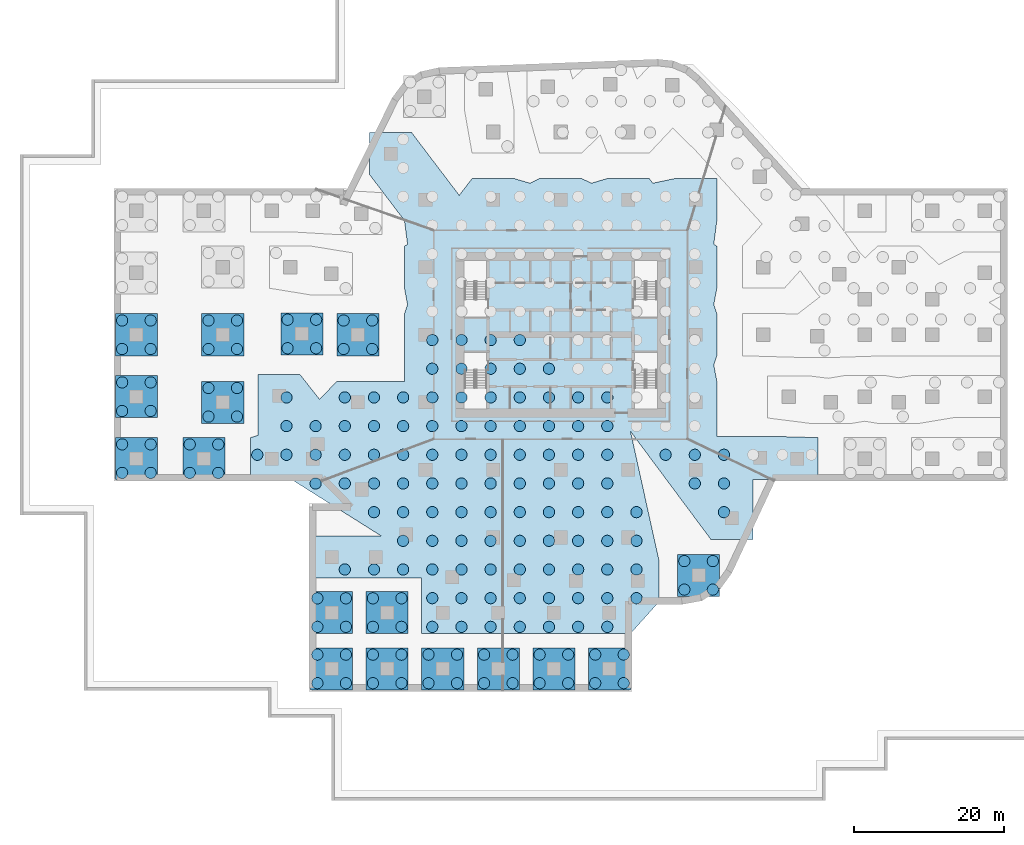
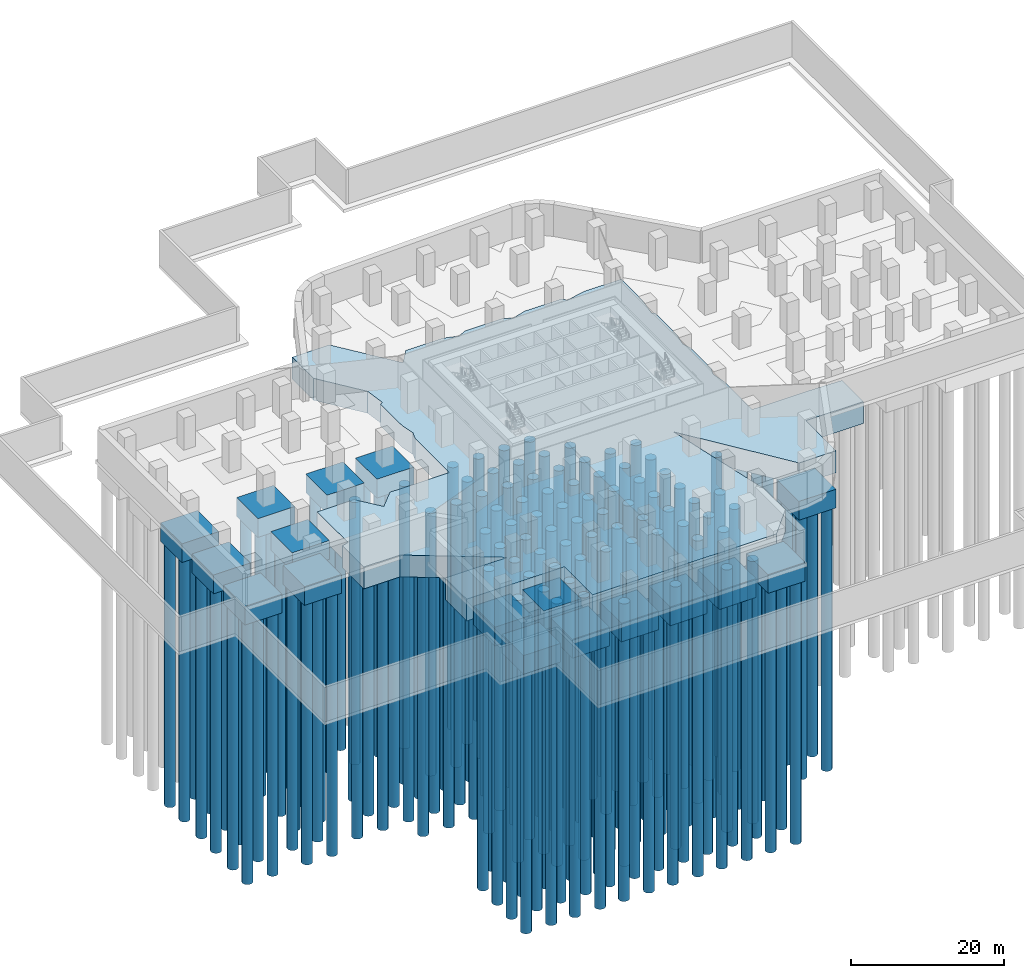
# One storey, part 1 of 12: 175 piles, 18 footings.
"""IFC4 building model written with IfcOpenShell, lengths in metres."""

import ifcopenshell
import ifcopenshell.guid

model = None  # the IFC model being written
_history = None  # IfcOwnerHistory: only IFC2X3 demands one
_inside = {}  # id of a spatial element -> (the spatial element, [elements in it])
_under = {}  # id of a project, library or spatial element -> (it, [spatial elements below it])
_declared = {}  # id of a project -> (the project, [libraries it declares])
_typed = {}  # id of a type object -> (the type object, [elements of that type])
_made_of = {}  # id of a material, layer set ... -> (it, [elements and type objects made of it])


def new_model(schema):
    """Start an empty IFC model of exactly this schema.

    Asked for "IFC4X3", IfcOpenShell would pick the latest addendum, in which some entities
    have other attributes; the version numbers below select the first issue.
    IFC2X3 requires an IfcOwnerHistory on every rooted entity: one is made here for all.
    """
    global model, _history
    if schema == "IFC4X3":
        model = ifcopenshell.file(schema_version=(4, 3, 0, 0))
    else:
        model = ifcopenshell.file(schema=schema)
    _inside.clear()
    _under.clear()
    _declared.clear()
    _typed.clear()
    _made_of.clear()
    _history = None
    if model.schema == "IFC2X3":
        org = make("IfcOrganization", Name="unknown")
        user = make(
            "IfcPersonAndOrganization",
            ThePerson=make("IfcPerson", FamilyName="unknown"),
            TheOrganization=org,
        )
        app = make(
            "IfcApplication",
            ApplicationDeveloper=org,
            Version="unknown",
            ApplicationFullName="unknown",
            ApplicationIdentifier="unknown",
        )
        _history = make(
            "IfcOwnerHistory",
            OwningUser=user,
            OwningApplication=app,
            ChangeAction="ADDED",
            CreationDate=0,
        )
    return model


def make(cls, **values):
    """One entity of the class cls with the attributes given. An attribute that is None is left unset."""
    return model.create_entity(
        cls, **{name: value for name, value in values.items() if value is not None}
    )


def rooted(cls, **values):
    """An entity with a GlobalId (a new one), such as an element, a storey or a relation."""
    return make(cls, GlobalId=ifcopenshell.guid.new(), OwnerHistory=_history, **values)


def si_unit(unit_type, name, prefix=None):
    """IfcSIUnit, for example si_unit("LENGTHUNIT", "METRE", prefix="MILLI")."""
    return make("IfcSIUnit", UnitType=unit_type, Prefix=prefix, Name=name)


def assignment(units):
    """IfcUnitAssignment: the units of a project."""
    return None if units is None else make("IfcUnitAssignment", Units=units)


def point(xyz):
    """IfcCartesianPoint."""
    return None if xyz is None else make("IfcCartesianPoint", Coordinates=xyz)


def direction(xyz):
    """IfcDirection."""
    return None if xyz is None else make("IfcDirection", DirectionRatios=xyz)


def frame(location, z_axis=None, x_axis=None):
    """IfcAxis2Placement3D, a coordinate frame: its origin and axes. An axis left out is left unset."""
    return make(
        "IfcAxis2Placement3D",
        Location=point(location),
        Axis=direction(z_axis),
        RefDirection=direction(x_axis),
    )


def frame_2d(location, x_axis=None):
    """IfcAxis2Placement2D, a coordinate frame in the plane: its origin and x axis."""
    return make(
        "IfcAxis2Placement2D", Location=point(location), RefDirection=direction(x_axis)
    )


def origin():
    """The frame at (0, 0, 0) with its axes left unset."""
    return frame((0.0, 0.0, 0.0))


def origin_2d():
    """The frame at (0, 0) in the plane with its x axis left unset."""
    return frame_2d((0.0, 0.0))


def place(relative_to, where):
    """IfcLocalPlacement: puts the frame where relative to a parent placement (None: the world)."""
    return make(
        "IfcLocalPlacement", PlacementRelTo=relative_to, RelativePlacement=where
    )


def context(
    kind, dimensions, precision=None, world=None, true_north=None, identifier=None
):
    """IfcGeometricRepresentationContext, for example the 3D "Model" context."""
    return make(
        "IfcGeometricRepresentationContext",
        ContextIdentifier=identifier,
        ContextType=kind,
        CoordinateSpaceDimension=dimensions,
        Precision=precision,
        WorldCoordinateSystem=world,
        TrueNorth=true_north,
    )


def subcontext(parent, identifier, kind, view, scale=None):
    """IfcGeometricRepresentationSubContext, for example "Body" below "Model"."""
    return make(
        "IfcGeometricRepresentationSubContext",
        ContextIdentifier=identifier,
        ContextType=kind,
        ParentContext=parent,
        TargetScale=scale,
        TargetView=view,
    )


def project(units=None, contexts=None):
    """IfcProject with its units and contexts."""
    return rooted(
        "IfcProject",
        Name="project",
        RepresentationContexts=contexts,
        UnitsInContext=assignment(units),
    )


def spatial(cls, under=None, at=None, **own):
    """A site, building, storey or space (cls), placed at a placement, below another one or the project."""
    s = rooted(cls, ObjectPlacement=at, **own)
    if under is not None:
        _under.setdefault(under.id(), (under, []))[1].append(s)
    return s


def polyline(points):
    """IfcPolyline through the points."""
    return make("IfcPolyline", Points=[point(p) for p in points])


def profile(cls, at=None, kind="AREA", **sizes):
    """A parametric profile (cls). Its sizes go by their IFC names, for example OverallWidth=200.0."""
    return make(cls, ProfileType=kind, Position=at, **sizes)


def circle(**sizes):
    """IfcCircleProfileDef."""
    return profile("IfcCircleProfileDef", **sizes)


def outline(outer, holes=None, kind="AREA"):
    """IfcArbitraryClosedProfileDef: a profile drawn as a closed curve; with holes, ...WithVoids."""
    if holes is None:
        return make("IfcArbitraryClosedProfileDef", ProfileType=kind, OuterCurve=outer)
    return make(
        "IfcArbitraryProfileDefWithVoids",
        ProfileType=kind,
        OuterCurve=outer,
        InnerCurves=holes,
    )


def extrude(swept, where, along, depth):
    """IfcExtrudedAreaSolid: the profile swept, set in the frame where, extruded along a direction by depth."""
    return make(
        "IfcExtrudedAreaSolid",
        SweptArea=swept,
        Position=where,
        ExtrudedDirection=direction(along),
        Depth=depth,
    )


def shape(context_of_items, identifier, shape_type, items):
    """IfcShapeRepresentation: the items that make up one representation, for example the "Body"."""
    return make(
        "IfcShapeRepresentation",
        ContextOfItems=context_of_items,
        RepresentationIdentifier=identifier,
        RepresentationType=shape_type,
        Items=items,
    )


def material(Name=None, Category=None):
    """IfcMaterial."""
    return make("IfcMaterial", Name=Name, Category=Category)


def layer(
    of_material, thickness, ventilated=None, Name=None, Category=None, Priority=None
):
    """IfcMaterialLayer: one layer of a wall or slab, of a material (None: an air gap)."""
    return make(
        "IfcMaterialLayer",
        Material=of_material,
        LayerThickness=thickness,
        IsVentilated=ventilated,
        Name=Name,
        Category=Category,
        Priority=Priority,
    )


def layer_set(layers, Name=None):
    """IfcMaterialLayerSet."""
    return make("IfcMaterialLayerSet", MaterialLayers=layers, LayerSetName=Name)


def material_profile(
    of_material, cross_section, Name=None, Category=None, Priority=None
):
    """IfcMaterialProfile: a cross section and its material."""
    return make(
        "IfcMaterialProfile",
        Name=Name,
        Material=of_material,
        Profile=cross_section,
        Priority=Priority,
        Category=Category,
    )


def profile_set(profiles, Name=None, composite=None):
    """IfcMaterialProfileSet."""
    return make(
        "IfcMaterialProfileSet",
        Name=Name,
        MaterialProfiles=profiles,
        CompositeProfile=composite,
    )


def made_of(thing, what):
    """Note that an element or type object is made of a material, layer set ...; save() writes the relation."""
    if what is not None:
        _made_of.setdefault(what.id(), (what, []))[1].append(thing)
    return thing


def type_object(cls, material=None, **own):
    """A type object (cls), such as IfcWallType, which elements share."""
    return made_of(rooted(cls, **own), material)


def element(
    cls,
    number,
    at=None,
    inside=None,
    cuts=None,
    type_object=None,
    material=None,
    context=None,
    identifier="Body",
    shape_type=None,
    held_by="IfcProductDefinitionShape",
    body=None,
    shapes=None,
    **own,
):
    """One element of the class cls, such as IfcWall. Its Tag is "e" and its number.

    at: its placement. inside: the storey or other place that contains it. cuts: it is an
    opening in that element (IfcRelVoidsElement). A single representation is given by context,
    identifier, shape_type and body (its items); several are given by shapes. held_by: the class
    of the entity that holds the representations. save() writes the other relations.
    """
    e = rooted(cls, Tag="e%d" % number, ObjectPlacement=at, **own)
    if body is not None:
        shapes = [shape(context, identifier, shape_type, body)]
    if shapes is not None:
        e.Representation = make(held_by, Representations=shapes)
    if inside is not None:
        _inside.setdefault(inside.id(), (inside, []))[1].append(e)
    if cuts is not None:
        rooted(
            "IfcRelVoidsElement", RelatingBuildingElement=cuts, RelatedOpeningElement=e
        )
    if type_object is not None:
        _typed.setdefault(type_object.id(), (type_object, []))[1].append(e)
    return made_of(e, material)


def aggregate(whole, parts):
    """IfcRelAggregates: a whole, such as a stair, and the parts it consists of."""
    return rooted("IfcRelAggregates", RelatingObject=whole, RelatedObjects=parts)


def save(model, path):
    """Write the relations noted so far, then the file.

    IfcRelAggregates (storeys below a building ...), IfcRelContainedInSpatialStructure (elements
    in a storey), IfcRelDefinesByType, IfcRelAssociatesMaterial and IfcRelDeclares: one each for
    every whole, place, type object, material and project.
    """
    for whole, parts in _under.values():
        aggregate(whole, parts)
    for where, things in _inside.values():
        rooted(
            "IfcRelContainedInSpatialStructure",
            RelatedElements=things,
            RelatingStructure=where,
        )
    for kind, things in _typed.values():
        rooted("IfcRelDefinesByType", RelatedObjects=things, RelatingType=kind)
    for what, things in _made_of.values():
        rooted("IfcRelAssociatesMaterial", RelatedObjects=things, RelatingMaterial=what)
    for by, libraries in _declared.values():
        rooted("IfcRelDeclares", RelatingContext=by, RelatedDefinitions=libraries)
    model.write(path)


model = new_model("IFC4")

# Units and contexts
model_context = context("Model", 3, precision=1e-05, world=origin(), true_north=direction((0.0, 1.0)))
body_context = subcontext(model_context, "Body", "Model", "MODEL_VIEW")
ifc_project = project(units=[si_unit("LENGTHUNIT", "METRE"), si_unit("AREAUNIT", "SQUARE_METRE"), si_unit("VOLUMEUNIT", "CUBIC_METRE"), si_unit("PLANEANGLEUNIT", "RADIAN"), si_unit("MASSUNIT", "GRAM", prefix="KILO")], contexts=[model_context])

# Site, building, storey
site_placement = place(None, origin())
site = spatial("IfcSite", under=ifc_project, at=site_placement, CompositionType="ELEMENT")
building_placement = place(site_placement, origin())
building = spatial("IfcBuilding", under=site, at=building_placement, Name="Dongbaek Canopy Tower", CompositionType="ELEMENT")
storey_placement = place(building_placement, frame((0.0, 0.0, -17.0)))
storey = spatial("IfcBuildingStorey", under=building, at=storey_placement, Name="B3", CompositionType="ELEMENT", Elevation=-17.0)

# Piles
ifc_material_1 = material(Name="Concrete C40", Category="concrete")
ifc_material_profile = material_profile(ifc_material_1, circle(Radius=0.75, at=origin_2d()), Name="BORED PILE D1500 Concrete C40")
ifc_profile_set = profile_set([ifc_material_profile], Name="Concrete C40")
pile_type = type_object("IfcPileType", Name="BORED PILE D1500 Concrete C40", PredefinedType="BORED", material=ifc_profile_set)
for number, where, z_axis, x_axis, name in (
    (1, (-58.39990234375, -18.39990234375, -2.85009765625), (0.0, 0.0, -1.0), (1.0, 0.0, 0.0), "PILE:0001"),
    (2, (-58.39990234375, -14.60009765625, -2.85009765625), (0.0, 0.0, -1.0), (1.0, 0.0, 0.0), "PILE:0002"),
    (3, (-54.60009765625, -18.39990234375, -2.85009765625), (0.0, 0.0, -1.0), (1.0, 0.0, 0.0), "PILE:0003"),
    (4, (-54.60009765625, -14.60009765625, -2.85009765625), (0.0, 0.0, -1.0), (1.0, 0.0, 0.0), "PILE:0004"),
    (5, (-58.39990234375, -10.14990234375, -2.85009765625), (0.0, 0.0, -1.0), (1.0, 0.0, 0.0), "PILE:0005"),
    (6, (-58.39990234375, -6.35009765625, -2.85009765625), (0.0, 0.0, -1.0), (1.0, 0.0, 0.0), "PILE:0006"),
    (7, (-54.60009765625, -10.14990234375, -2.85009765625), (0.0, 0.0, -1.0), (1.0, 0.0, 0.0), "PILE:0007"),
    (8, (-54.60009765625, -6.35009765625, -2.85009765625), (0.0, 0.0, -1.0), (1.0, 0.0, 0.0), "PILE:0008"),
    (9, (-58.39990234375, -1.89990234375, -2.85009765625), (0.0, 0.0, -1.0), (1.0, 0.0, 0.0), "PILE:0009"),
    (10, (-58.39990234375, 1.89990234375, -2.85009765625), (0.0, 0.0, -1.0), (1.0, 0.0, 0.0), "PILE:0010"),
    (11, (-54.60009765625, -1.89990234375, -2.85009765625), (0.0, 0.0, -1.0), (1.0, 0.0, 0.0), "PILE:0011"),
    (12, (-54.60009765625, 1.89990234375, -2.85009765625), (0.0, 0.0, -1.0), (1.0, 0.0, 0.0), "PILE:0012"),
    (13, (-49.39990234375, -18.39990234375, -2.85009765625), (0.0, 0.0, -1.0), (1.0, 0.0, 0.0), "PILE:0021"),
    (14, (-49.39990234375, -14.60009765625, -2.85009765625), (0.0, 0.0, -1.0), (1.0, 0.0, 0.0), "PILE:0022"),
    (15, (-45.60009765625, -18.39990234375, -2.85009765625), (0.0, 0.0, -1.0), (1.0, 0.0, 0.0), "PILE:0023"),
    (16, (-45.60009765625, -14.60009765625, -2.85009765625), (0.0, 0.0, -1.0), (1.0, 0.0, 0.0), "PILE:0024"),
    (17, (-46.89990234375, -10.89990234375, -2.85009765625), (0.0, 0.0, -1.0), (1.0, 0.0, 0.0), "PILE:0029"),
    (18, (-46.89990234375, -7.10009765625, -2.85009765625), (0.0, 0.0, -1.0), (1.0, 0.0, 0.0), "PILE:0030"),
    (19, (-43.10009765625, -10.89990234375, -2.85009765625), (0.0, 0.0, -1.0), (1.0, 0.0, 0.0), "PILE:0031"),
    (20, (-43.10009765625, -7.10009765625, -2.85009765625), (0.0, 0.0, -1.0), (1.0, 0.0, 0.0), "PILE:0032"),
    (21, (-46.89990234375, -1.89990234375, -2.85009765625), (0.0, 0.0, -1.0), (1.0, 0.0, 0.0), "PILE:0033"),
    (22, (-46.89990234375, 1.89990234375, -2.85009765625), (0.0, 0.0, -1.0), (1.0, 0.0, 0.0), "PILE:0034"),
    (23, (-43.10009765625, -1.89990234375, -2.85009765625), (0.0, 0.0, -1.0), (1.0, 0.0, 0.0), "PILE:0035"),
    (24, (-43.10009765625, 1.89990234375, -2.85009765625), (0.0, 0.0, -1.0), (1.0, 0.0, 0.0), "PILE:0036"),
    (25, (-40.39990234375, -15.9853515625, -3.35009765625), (0.0, 0.0, -1.0), (1.0, 0.0, 0.0), "PILE:0041"),
    (26, (-36.515869140625, -15.9853515625, -3.35009765625), (0.0, 0.0, -1.0), (1.0, 0.0, 0.0), "PILE:0042"),
    (27, (-36.515869140625, -12.166259765625, -3.35009765625), (0.0, 0.0, -1.0), (1.0, 0.0, 0.0), "PILE:0043"),
    (28, (-36.515869140625, -8.34716796875, -3.35009765625), (0.0, 0.0, -1.0), (1.0, 0.0, 0.0), "PILE:0044"),
    (29, (-32.631591796875, -19.804443359375, -3.35009765625), (0.0, 0.0, -1.0), (1.0, 0.0, 0.0), "PILE:0045"),
    (30, (-32.631591796875, -15.9853515625, -3.35009765625), (0.0, 0.0, -1.0), (1.0, 0.0, 0.0), "PILE:0046"),
    (31, (-32.631591796875, -12.166259765625, -3.35009765625), (0.0, 0.0, -1.0), (1.0, 0.0, 0.0), "PILE:0047"),
    (32, (-28.747314453125, -31.26171875, -3.35009765625), (0.0, 0.0, -1.0), (1.0, 0.0, 0.0), "PILE:0048"),
    (33, (-28.747314453125, -19.804443359375, -3.35009765625), (0.0, 0.0, -1.0), (1.0, 0.0, 0.0), "PILE:0049"),
    (34, (-28.747314453125, -15.9853515625, -3.35009765625), (0.0, 0.0, -1.0), (1.0, 0.0, 0.0), "PILE:0050"),
    (35, (-28.747314453125, -12.166259765625, -3.35009765625), (0.0, 0.0, -1.0), (1.0, 0.0, 0.0), "PILE:0051"),
    (36, (-28.747314453125, -8.34716796875, -3.35009765625), (0.0, 0.0, -1.0), (1.0, 0.0, 0.0), "PILE:0052"),
    (37, (-24.86328125, -31.26171875, -3.35009765625), (0.0, 0.0, -1.0), (1.0, 0.0, 0.0), "PILE:0053"),
    (38, (-24.86328125, -23.62353515625, -3.35009765625), (0.0, 0.0, -1.0), (1.0, 0.0, 0.0), "PILE:0054"),
    (39, (-24.86328125, -19.804443359375, -3.35009765625), (0.0, 0.0, -1.0), (1.0, 0.0, 0.0), "PILE:0055"),
    (40, (-24.86328125, -15.9853515625, -3.35009765625), (0.0, 0.0, -1.0), (1.0, 0.0, 0.0), "PILE:0056"),
    (41, (-24.86328125, -12.166259765625, -3.35009765625), (0.0, 0.0, -1.0), (1.0, 0.0, 0.0), "PILE:0057"),
    (42, (-24.86328125, -8.34716796875, -3.35009765625), (0.0, 0.0, -1.0), (1.0, 0.0, 0.0), "PILE:0058"),
    (43, (-20.97900390625, -31.26171875, -3.35009765625), (0.0, 0.0, -1.0), (1.0, 0.0, 0.0), "PILE:0059"),
    (44, (-20.97900390625, -27.442626953125, -3.35009765625), (0.0, 0.0, -1.0), (1.0, 0.0, 0.0), "PILE:0060"),
    (45, (-20.97900390625, -23.62353515625, -3.35009765625), (0.0, 0.0, -1.0), (1.0, 0.0, 0.0), "PILE:0061"),
    (46, (-20.97900390625, -19.804443359375, -3.35009765625), (0.0, 0.0, -1.0), (1.0, 0.0, 0.0), "PILE:0062"),
    (47, (-20.97900390625, -15.9853515625, -3.35009765625), (0.0, 0.0, -1.0), (1.0, 0.0, 0.0), "PILE:0063"),
    (48, (-20.97900390625, -12.166259765625, -3.35009765625), (0.0, 0.0, -1.0), (1.0, 0.0, 0.0), "PILE:0064"),
    (49, (-20.97900390625, -8.34716796875, -3.35009765625), (0.0, 0.0, -1.0), (1.0, 0.0, 0.0), "PILE:0065"),
    (50, (-17.0947265625, -38.89990234375, -3.35009765625), (0.0, 0.0, -1.0), (1.0, 0.0, 0.0), "PILE:0069"),
    (51, (-17.0947265625, -35.080810546875, -3.35009765625), (0.0, 0.0, -1.0), (1.0, 0.0, 0.0), "PILE:0070"),
    (52, (-17.0947265625, -31.26171875, -3.35009765625), (0.0, 0.0, -1.0), (1.0, 0.0, 0.0), "PILE:0071"),
    (53, (-17.0947265625, -27.442626953125, -3.35009765625), (0.0, 0.0, -1.0), (1.0, 0.0, 0.0), "PILE:0072"),
    (54, (-17.0947265625, -23.62353515625, -3.35009765625), (0.0, 0.0, -1.0), (1.0, 0.0, 0.0), "PILE:0073"),
    (55, (-17.0947265625, -19.804443359375, -3.35009765625), (0.0, 0.0, -1.0), (1.0, 0.0, 0.0), "PILE:0074"),
    (56, (-17.0947265625, -15.9853515625, -3.35009765625), (0.0, 0.0, -1.0), (1.0, 0.0, 0.0), "PILE:0075"),
    (57, (-17.0947265625, -12.166259765625, -3.35009765625), (0.0, 0.0, -1.0), (1.0, 0.0, 0.0), "PILE:0076"),
    (58, (-17.0947265625, -8.34716796875, -3.35009765625), (0.0, 0.0, -1.0), (1.0, 0.0, 0.0), "PILE:0077"),
    (59, (-17.0947265625, -4.52783203125, -3.35009765625), (0.0, 0.0, -1.0), (1.0, 0.0, 0.0), "PILE:0078"),
    (60, (-17.0947265625, -0.708740234375, -3.35009765625), (0.0, 0.0, -1.0), (1.0, 0.0, 0.0), "PILE:0079"),
    (61, (-13.21044921875, -38.89990234375, -3.35009765625), (0.0, 0.0, -1.0), (1.0, 0.0, 0.0), "PILE:0085"),
    (62, (-13.21044921875, -35.080810546875, -3.35009765625), (0.0, 0.0, -1.0), (1.0, 0.0, 0.0), "PILE:0086"),
    (63, (-13.21044921875, -31.26171875, -3.35009765625), (0.0, 0.0, -1.0), (1.0, 0.0, 0.0), "PILE:0087"),
    (64, (-13.21044921875, -27.442626953125, -3.35009765625), (0.0, 0.0, -1.0), (1.0, 0.0, 0.0), "PILE:0088"),
    (65, (-13.21044921875, -23.62353515625, -3.35009765625), (0.0, 0.0, -1.0), (1.0, 0.0, 0.0), "PILE:0089"),
    (66, (-13.21044921875, -19.804443359375, -3.35009765625), (0.0, 0.0, -1.0), (1.0, 0.0, 0.0), "PILE:0090"),
    (67, (-13.21044921875, -15.9853515625, -3.35009765625), (0.0, 0.0, -1.0), (1.0, 0.0, 0.0), "PILE:0091"),
    (68, (-13.21044921875, -12.166259765625, -3.35009765625), (0.0, 0.0, -1.0), (1.0, 0.0, 0.0), "PILE:0092"),
    (69, (-13.21044921875, -8.34716796875, -3.35009765625), (0.0, 0.0, -1.0), (1.0, 0.0, 0.0), "PILE:0093"),
    (70, (-13.21044921875, -4.52783203125, -3.35009765625), (0.0, 0.0, -1.0), (1.0, 0.0, 0.0), "PILE:0094"),
    (71, (-13.21044921875, -0.708740234375, -3.35009765625), (0.0, 0.0, -1.0), (1.0, 0.0, 0.0), "PILE:0095"),
    (72, (-9.326416015625, -38.89990234375, -3.35009765625), (0.0, 0.0, -1.0), (1.0, 0.0, 0.0), "PILE:0100"),
    (73, (-9.326416015625, -35.080810546875, -3.35009765625), (0.0, 0.0, -1.0), (1.0, 0.0, 0.0), "PILE:0101"),
    (74, (-9.326416015625, -31.26171875, -3.35009765625), (0.0, 0.0, -1.0), (1.0, 0.0, 0.0), "PILE:0102"),
    (75, (-9.326416015625, -27.442626953125, -3.35009765625), (0.0, 0.0, -1.0), (1.0, 0.0, 0.0), "PILE:0103"),
    (76, (-9.326416015625, -23.62353515625, -3.35009765625), (0.0, 0.0, -1.0), (1.0, 0.0, 0.0), "PILE:0104"),
    (77, (-9.326416015625, -19.804443359375, -3.35009765625), (0.0, 0.0, -1.0), (1.0, 0.0, 0.0), "PILE:0105"),
    (78, (-9.326416015625, -15.9853515625, -3.35009765625), (0.0, 0.0, -1.0), (1.0, 0.0, 0.0), "PILE:0106"),
    (79, (-9.326416015625, -12.166259765625, -3.35009765625), (0.0, 0.0, -1.0), (1.0, 0.0, 0.0), "PILE:0107"),
    (80, (-9.326416015625, -8.34716796875, -3.35009765625), (0.0, 0.0, -1.0), (1.0, 0.0, 0.0), "PILE:0108"),
    (81, (-9.326416015625, -4.52783203125, -3.35009765625), (0.0, 0.0, -1.0), (1.0, 0.0, 0.0), "PILE:0109"),
    (82, (-9.326416015625, -0.708740234375, -3.35009765625), (0.0, 0.0, -1.0), (1.0, 0.0, 0.0), "PILE:0110"),
    (83, (-5.442138671875, -38.89990234375, -3.35009765625), (0.0, 0.0, -1.0), (1.0, 0.0, 0.0), "PILE:0116"),
    (84, (-5.442138671875, -35.080810546875, -3.35009765625), (0.0, 0.0, -1.0), (1.0, 0.0, 0.0), "PILE:0117"),
    (85, (-5.442138671875, -31.26171875, -3.35009765625), (0.0, 0.0, -1.0), (1.0, 0.0, 0.0), "PILE:0118"),
    (86, (-5.442138671875, -27.442626953125, -3.35009765625), (0.0, 0.0, -1.0), (1.0, 0.0, 0.0), "PILE:0119"),
    (87, (-5.442138671875, -23.62353515625, -3.35009765625), (0.0, 0.0, -1.0), (1.0, 0.0, 0.0), "PILE:0120"),
    (88, (-5.442138671875, -19.804443359375, -3.35009765625), (0.0, 0.0, -1.0), (1.0, 0.0, 0.0), "PILE:0121"),
    (89, (-5.442138671875, -15.9853515625, -3.35009765625), (0.0, 0.0, -1.0), (1.0, 0.0, 0.0), "PILE:0122"),
    (90, (-5.442138671875, -12.166259765625, -3.35009765625), (0.0, 0.0, -1.0), (1.0, 0.0, 0.0), "PILE:0123"),
    (91, (-5.442138671875, -8.34716796875, -3.35009765625), (0.0, 0.0, -1.0), (1.0, 0.0, 0.0), "PILE:0124"),
    (92, (-5.442138671875, -4.52783203125, -3.35009765625), (0.0, 0.0, -1.0), (1.0, 0.0, 0.0), "PILE:0125"),
    (93, (-5.442138671875, -0.708740234375, -3.35009765625), (0.0, 0.0, -1.0), (1.0, 0.0, 0.0), "PILE:0126"),
    (94, (-1.557861328125, -38.89990234375, -3.35009765625), (0.0, 0.0, -1.0), (1.0, 0.0, 0.0), "PILE:0132"),
    (95, (-1.557861328125, -35.080810546875, -3.35009765625), (0.0, 0.0, -1.0), (1.0, 0.0, 0.0), "PILE:0133"),
    (96, (-1.557861328125, -31.26171875, -3.35009765625), (0.0, 0.0, -1.0), (1.0, 0.0, 0.0), "PILE:0134"),
    (97, (-1.557861328125, -27.442626953125, -3.35009765625), (0.0, 0.0, -1.0), (1.0, 0.0, 0.0), "PILE:0135"),
    (98, (-1.557861328125, -23.62353515625, -3.35009765625), (0.0, 0.0, -1.0), (1.0, 0.0, 0.0), "PILE:0136"),
    (99, (-1.557861328125, -19.804443359375, -3.35009765625), (0.0, 0.0, -1.0), (1.0, 0.0, 0.0), "PILE:0137"),
    (100, (-1.557861328125, -15.9853515625, -3.35009765625), (0.0, 0.0, -1.0), (1.0, 0.0, 0.0), "PILE:0138"),
    (101, (-1.557861328125, -12.166259765625, -3.35009765625), (0.0, 0.0, -1.0), (1.0, 0.0, 0.0), "PILE:0139"),
    (102, (-1.557861328125, -8.34716796875, -3.35009765625), (0.0, 0.0, -1.0), (1.0, 0.0, 0.0), "PILE:0140"),
    (103, (-1.557861328125, -4.52783203125, -3.35009765625), (0.0, 0.0, -1.0), (1.0, 0.0, 0.0), "PILE:0141"),
    (104, (2.326416015625, -38.89990234375, -3.35009765625), (0.0, 0.0, -1.0), (1.0, 0.0, 0.0), "PILE:0148"),
    (105, (2.326416015625, -35.080810546875, -3.35009765625), (0.0, 0.0, -1.0), (1.0, 0.0, 0.0), "PILE:0149"),
    (106, (2.326416015625, -31.26171875, -3.35009765625), (0.0, 0.0, -1.0), (1.0, 0.0, 0.0), "PILE:0150"),
    (107, (2.326416015625, -27.442626953125, -3.35009765625), (0.0, 0.0, -1.0), (1.0, 0.0, 0.0), "PILE:0151"),
    (108, (2.326416015625, -23.62353515625, -3.35009765625), (0.0, 0.0, -1.0), (1.0, 0.0, 0.0), "PILE:0152"),
    (109, (2.326416015625, -19.804443359375, -3.35009765625), (0.0, 0.0, -1.0), (1.0, 0.0, 0.0), "PILE:0153"),
    (110, (2.326416015625, -15.9853515625, -3.35009765625), (0.0, 0.0, -1.0), (1.0, 0.0, 0.0), "PILE:0154"),
    (111, (2.326416015625, -12.166259765625, -3.35009765625), (0.0, 0.0, -1.0), (1.0, 0.0, 0.0), "PILE:0155"),
    (112, (2.326416015625, -8.34716796875, -3.35009765625), (0.0, 0.0, -1.0), (1.0, 0.0, 0.0), "PILE:0156"),
    (113, (6.21044921875, -38.89990234375, -3.35009765625), (0.0, 0.0, -1.0), (1.0, 0.0, 0.0), "PILE:0164"),
    (114, (6.21044921875, -35.080810546875, -3.35009765625), (0.0, 0.0, -1.0), (1.0, 0.0, 0.0), "PILE:0165"),
    (115, (6.21044921875, -31.26171875, -3.35009765625), (0.0, 0.0, -1.0), (1.0, 0.0, 0.0), "PILE:0166"),
    (116, (6.21044921875, -27.442626953125, -3.35009765625), (0.0, 0.0, -1.0), (1.0, 0.0, 0.0), "PILE:0167"),
    (117, (6.21044921875, -23.62353515625, -3.35009765625), (0.0, 0.0, -1.0), (1.0, 0.0, 0.0), "PILE:0168"),
    (118, (6.21044921875, -19.804443359375, -3.35009765625), (0.0, 0.0, -1.0), (1.0, 0.0, 0.0), "PILE:0169"),
    (119, (6.21044921875, -15.9853515625, -3.35009765625), (0.0, 0.0, -1.0), (1.0, 0.0, 0.0), "PILE:0170"),
    (120, (6.21044921875, -12.166259765625, -3.35009765625), (0.0, 0.0, -1.0), (1.0, 0.0, 0.0), "PILE:0171"),
    (121, (6.21044921875, -8.34716796875, -3.35009765625), (0.0, 0.0, -1.0), (1.0, 0.0, 0.0), "PILE:0172"),
    (122, (10.0947265625, -35.080810546875, -3.35009765625), (0.0, 0.0, -1.0), (1.0, 0.0, 0.0), "PILE:0180"),
    (123, (10.0947265625, -31.26171875, -3.35009765625), (0.0, 0.0, -1.0), (1.0, 0.0, 0.0), "PILE:0181"),
    (124, (10.0947265625, -27.442626953125, -3.35009765625), (0.0, 0.0, -1.0), (1.0, 0.0, 0.0), "PILE:0182"),
    (125, (10.0947265625, -23.62353515625, -3.35009765625), (0.0, 0.0, -1.0), (1.0, 0.0, 0.0), "PILE:0183"),
    (126, (13.97900390625, -15.9853515625, -3.35009765625), (0.0, 0.0, -1.0), (1.0, 0.0, 0.0), "PILE:0193"),
    (127, (17.86328125, -19.804443359375, -3.35009765625), (0.0, 0.0, -1.0), (1.0, 0.0, 0.0), "PILE:0203"),
    (128, (17.86328125, -15.9853515625, -3.35009765625), (0.0, 0.0, -1.0), (1.0, 0.0, 0.0), "PILE:0204"),
    (129, (21.747314453125, -23.62353515625, -3.35009765625), (0.0, 0.0, -1.0), (1.0, 0.0, 0.0), "PILE:0214"),
    (130, (21.747314453125, -19.804443359375, -3.35009765625), (0.0, 0.0, -1.0), (1.0, 0.0, 0.0), "PILE:0215"),
    (131, (21.747314453125, -15.9853515625, -3.35009765625), (0.0, 0.0, -1.0), (1.0, 0.0, 0.0), "PILE:0216"),
    (132, (-36.363037109375, -1.797119140625, -2.85009765625), (0.0, 0.0, -1.0), (1.0, 0.0, 0.0), "PILE:0227"),
    (133, (-36.363037109375, 2.0029296875, -2.85009765625), (0.0, 0.0, -1.0), (1.0, 0.0, 0.0), "PILE:0228"),
    (134, (-32.56298828125, -1.797119140625, -2.85009765625), (0.0, 0.0, -1.0), (1.0, 0.0, 0.0), "PILE:0229"),
    (135, (-32.56298828125, 2.0029296875, -2.85009765625), (0.0, 0.0, -1.0), (1.0, 0.0, 0.0), "PILE:0230"),
    (136, (-32.39990234375, -46.39990234375, -2.85009765625), (0.0, 0.0, -1.0), (1.0, 0.0, 0.0), "PILE:0231"),
    (137, (-32.39990234375, -42.60009765625, -2.85009765625), (0.0, 0.0, -1.0), (1.0, 0.0, 0.0), "PILE:0232"),
    (138, (-28.60009765625, -46.39990234375, -2.85009765625), (0.0, 0.0, -1.0), (1.0, 0.0, 0.0), "PILE:0233"),
    (139, (-28.60009765625, -42.60009765625, -2.85009765625), (0.0, 0.0, -1.0), (1.0, 0.0, 0.0), "PILE:0234"),
    (140, (-32.39990234375, -38.89990234375, -2.85009765625), (0.0, 0.0, -1.0), (1.0, 0.0, 0.0), "PILE:0235"),
    (141, (-32.39990234375, -35.10009765625, -2.85009765625), (0.0, 0.0, -1.0), (1.0, 0.0, 0.0), "PILE:0236"),
    (142, (-28.60009765625, -38.89990234375, -2.85009765625), (0.0, 0.0, -1.0), (1.0, 0.0, 0.0), "PILE:0237"),
    (143, (-28.60009765625, -35.10009765625, -2.85009765625), (0.0, 0.0, -1.0), (1.0, 0.0, 0.0), "PILE:0238"),
    (144, (-28.89990234375, -1.89990234375, -2.85009765625), (0.0, 0.0, -1.0), (1.0, 0.0, 0.0), "PILE:0239"),
    (145, (-28.89990234375, 1.89990234375, -2.85009765625), (0.0, 0.0, -1.0), (1.0, 0.0, 0.0), "PILE:0240"),
    (146, (-25.10009765625, -1.89990234375, -2.85009765625), (0.0, 0.0, -1.0), (1.0, 0.0, 0.0), "PILE:0241"),
    (147, (-25.10009765625, 1.89990234375, -2.85009765625), (0.0, 0.0, -1.0), (1.0, 0.0, 0.0), "PILE:0242"),
    (148, (-25.0, -46.39990234375, -2.85009765625), (0.0, 0.0, -1.0), (1.0, 0.0, 0.0), "PILE:0243"),
    (149, (-25.0, -42.60009765625, -2.85009765625), (0.0, 0.0, -1.0), (1.0, 0.0, 0.0), "PILE:0244"),
    (150, (-21.199951171875, -46.39990234375, -2.85009765625), (0.0, 0.0, -1.0), (1.0, 0.0, 0.0), "PILE:0245"),
    (151, (-21.199951171875, -42.60009765625, -2.85009765625), (0.0, 0.0, -1.0), (1.0, 0.0, 0.0), "PILE:0246"),
    (152, (-25.0, -38.89990234375, -2.85009765625), (0.0, 0.0, -1.0), (1.0, 0.0, 0.0), "PILE:0247"),
    (153, (-25.0, -35.10009765625, -2.85009765625), (0.0, 0.0, -1.0), (1.0, 0.0, 0.0), "PILE:0248"),
    (154, (-21.199951171875, -38.89990234375, -2.85009765625), (0.0, 0.0, -1.0), (1.0, 0.0, 0.0), "PILE:0249"),
    (155, (-21.199951171875, -35.10009765625, -2.85009765625), (0.0, 0.0, -1.0), (1.0, 0.0, 0.0), "PILE:0250"),
    (156, (-17.60009765625, -46.39990234375, -2.85009765625), (0.0, 0.0, -1.0), (1.0, 0.0, 0.0), "PILE:0255"),
    (157, (-17.60009765625, -42.60009765625, -2.85009765625), (0.0, 0.0, -1.0), (1.0, 0.0, 0.0), "PILE:0256"),
    (158, (-13.800048828125, -46.39990234375, -2.85009765625), (0.0, 0.0, -1.0), (1.0, 0.0, 0.0), "PILE:0257"),
    (159, (-13.800048828125, -42.60009765625, -2.85009765625), (0.0, 0.0, -1.0), (1.0, 0.0, 0.0), "PILE:0258"),
    (160, (-10.199951171875, -46.39990234375, -2.85009765625), (0.0, 0.0, -1.0), (1.0, 0.0, 0.0), "PILE:0261"),
    (161, (-10.199951171875, -42.60009765625, -2.85009765625), (0.0, 0.0, -1.0), (1.0, 0.0, 0.0), "PILE:0262"),
    (162, (-6.39990234375, -46.39990234375, -2.85009765625), (0.0, 0.0, -1.0), (1.0, 0.0, 0.0), "PILE:0263"),
    (163, (-6.39990234375, -42.60009765625, -2.85009765625), (0.0, 0.0, -1.0), (1.0, 0.0, 0.0), "PILE:0264"),
    (164, (-2.800048828125, -46.39990234375, -2.85009765625), (0.0, 0.0, -1.0), (1.0, 0.0, 0.0), "PILE:0306"),
    (165, (-2.800048828125, -42.60009765625, -2.85009765625), (0.0, 0.0, -1.0), (1.0, 0.0, 0.0), "PILE:0307"),
    (166, (1.0, -46.39990234375, -2.85009765625), (0.0, 0.0, -1.0), (1.0, 0.0, 0.0), "PILE:0308"),
    (167, (1.0, -42.60009765625, -2.85009765625), (0.0, 0.0, -1.0), (1.0, 0.0, 0.0), "PILE:0309"),
    (168, (4.60009765625, -46.39990234375, -2.85009765625), (0.0, 0.0, -1.0), (1.0, 0.0, 0.0), "PILE:0310"),
    (169, (4.60009765625, -42.60009765625, -2.85009765625), (0.0, 0.0, -1.0), (1.0, 0.0, 0.0), "PILE:0311"),
    (170, (8.39990234375, -46.39990234375, -2.85009765625), (0.0, 0.0, -1.0), (1.0, 0.0, 0.0), "PILE:0312"),
    (171, (8.39990234375, -42.60009765625, -2.85009765625), (0.0, 0.0, -1.0), (1.0, 0.0, 0.0), "PILE:0313"),
    (172, (16.468017578125, -33.943115234375, -2.85009765625), (0.0, 0.0, -1.0), (1.0, 0.0, 0.0), "PILE:0314"),
    (173, (16.468017578125, -30.14306640625, -2.85009765625), (0.0, 0.0, -1.0), (1.0, 0.0, 0.0), "PILE:0315"),
    (174, (20.26806640625, -33.943115234375, -2.85009765625), (0.0, 0.0, -1.0), (1.0, 0.0, 0.0), "PILE:0316"),
    (175, (20.26806640625, -30.14306640625, -2.85009765625), (0.0, 0.0, -1.0), (1.0, 0.0, 0.0), "PILE:0317"),
):
    element("IfcPile", number, at=place(storey_placement, frame(where, z_axis=z_axis, x_axis=x_axis)), inside=storey, type_object=pile_type, Name=name, PredefinedType="BORED", context=body_context, shape_type="SweptSolid", body=[
        extrude(circle(Radius=0.75, at=origin_2d()), origin(), (0.0, 0.0, 1.0), 42.0),
    ])

# Footings
ifc_material_2 = material(Name="Concrete C40", Category="concrete")
ifc_layer_1 = layer(ifc_material_2, 3.0)
ifc_layer_set_1 = layer_set([ifc_layer_1], Name="PILE CAP 3000 Concrete C40")
footing_type_1 = type_object("IfcFootingType", Name="PILE CAP 3000 Concrete C40", PredefinedType="PILE_CAP", material=ifc_layer_set_1)
footing_1_placement = place(storey_placement, frame((0.0, 0.0, -3.0)))
element("IfcFooting", 176, at=footing_1_placement, inside=storey, type_object=footing_type_1, Name="FOOT:PC-01", PredefinedType="PILE_CAP", context=body_context, shape_type="SweptSolid", body=[
    extrude(outline(polyline([(-53.699951171875, -19.300048828125), (-53.699951171875, -13.699951171875), (-59.300048828125, -13.699951171875), (-59.300048828125, -19.300048828125), (-53.699951171875, -19.300048828125)])), origin(), (0.0, 0.0, 1.0), 3.0),
])
footing_2_placement = place(storey_placement, frame((0.0, 0.0, -3.0)))
element("IfcFooting", 177, at=footing_2_placement, inside=storey, type_object=footing_type_1, Name="FOOT:PC-02", PredefinedType="PILE_CAP", context=body_context, shape_type="SweptSolid", body=[
    extrude(outline(polyline([(-53.699951171875, -11.050048828125), (-53.699951171875, -5.449951171875), (-59.300048828125, -5.449951171875), (-59.300048828125, -11.050048828125), (-53.699951171875, -11.050048828125)])), origin(), (0.0, 0.0, 1.0), 3.0),
])
footing_3_placement = place(storey_placement, frame((0.0, 0.0, -3.0)))
element("IfcFooting", 178, at=footing_3_placement, inside=storey, type_object=footing_type_1, Name="FOOT:PC-03", PredefinedType="PILE_CAP", context=body_context, shape_type="SweptSolid", body=[
    extrude(outline(polyline([(-53.699951171875, -2.800048828125), (-53.699951171875, 2.800048828125), (-59.300048828125, 2.800048828125), (-59.300048828125, -2.800048828125), (-53.699951171875, -2.800048828125)])), origin(), (0.0, 0.0, 1.0), 3.0),
])
footing_4_placement = place(storey_placement, frame((0.0, 0.0, -3.0)))
element("IfcFooting", 179, at=footing_4_placement, inside=storey, type_object=footing_type_1, Name="FOOT:PC-06", PredefinedType="PILE_CAP", context=body_context, shape_type="SweptSolid", body=[
    extrude(outline(polyline([(-44.699951171875, -19.300048828125), (-44.699951171875, -13.699951171875), (-50.300048828125, -13.699951171875), (-50.300048828125, -19.300048828125), (-44.699951171875, -19.300048828125)])), origin(), (0.0, 0.0, 1.0), 3.0),
])
footing_5_placement = place(storey_placement, frame((0.0, 0.0, -3.0)))
element("IfcFooting", 180, at=footing_5_placement, inside=storey, type_object=footing_type_1, Name="FOOT:PC-08", PredefinedType="PILE_CAP", context=body_context, shape_type="SweptSolid", body=[
    extrude(outline(polyline([(-42.199951171875, -11.800048828125), (-42.199951171875, -6.199951171875), (-47.800048828125, -6.199951171875), (-47.800048828125, -11.800048828125), (-42.199951171875, -11.800048828125)])), origin(), (0.0, 0.0, 1.0), 3.0),
])
footing_6_placement = place(storey_placement, frame((0.0, 0.0, -3.0)))
element("IfcFooting", 181, at=footing_6_placement, inside=storey, type_object=footing_type_1, Name="FOOT:PC-09", PredefinedType="PILE_CAP", context=body_context, shape_type="SweptSolid", body=[
    extrude(outline(polyline([(-42.199951171875, -2.800048828125), (-42.199951171875, 2.800048828125), (-47.800048828125, 2.800048828125), (-47.800048828125, -2.800048828125), (-42.199951171875, -2.800048828125)])), origin(), (0.0, 0.0, 1.0), 3.0),
])
footing_7_placement = place(storey_placement, frame((0.0, 0.0, -3.0)))
element("IfcFooting", 182, at=footing_7_placement, inside=storey, type_object=footing_type_1, Name="FOOT:PC-14", PredefinedType="PILE_CAP", context=body_context, shape_type="SweptSolid", body=[
    extrude(outline(polyline([(-31.6630859375, -2.697021484375), (-31.6630859375, 2.903076171875), (-37.262939453125, 2.903076171875), (-37.262939453125, -2.697021484375), (-31.6630859375, -2.697021484375)])), origin(), (0.0, 0.0, 1.0), 3.0),
])
footing_8_placement = place(storey_placement, frame((0.0, 0.0, -3.0)))
element("IfcFooting", 183, at=footing_8_placement, inside=storey, type_object=footing_type_1, Name="FOOT:PC-15", PredefinedType="PILE_CAP", context=body_context, shape_type="SweptSolid", body=[
    extrude(outline(polyline([(-27.699951171875, -47.300048828125), (-27.699951171875, -41.699951171875), (-33.300048828125, -41.699951171875), (-33.300048828125, -47.300048828125), (-27.699951171875, -47.300048828125)])), origin(), (0.0, 0.0, 1.0), 3.0),
])
footing_9_placement = place(storey_placement, frame((0.0, 0.0, -3.0)))
element("IfcFooting", 184, at=footing_9_placement, inside=storey, type_object=footing_type_1, Name="FOOT:PC-16", PredefinedType="PILE_CAP", context=body_context, shape_type="SweptSolid", body=[
    extrude(outline(polyline([(-27.699951171875, -39.800048828125), (-27.699951171875, -34.199951171875), (-33.300048828125, -34.199951171875), (-33.300048828125, -39.800048828125), (-27.699951171875, -39.800048828125)])), origin(), (0.0, 0.0, 1.0), 3.0),
])
footing_10_placement = place(storey_placement, frame((0.0, 0.0, -3.0)))
element("IfcFooting", 185, at=footing_10_placement, inside=storey, type_object=footing_type_1, Name="FOOT:PC-17", PredefinedType="PILE_CAP", context=body_context, shape_type="SweptSolid", body=[
    extrude(outline(polyline([(-24.199951171875, -2.800048828125), (-24.199951171875, 2.800048828125), (-29.800048828125, 2.800048828125), (-29.800048828125, -2.800048828125), (-24.199951171875, -2.800048828125)])), origin(), (0.0, 0.0, 1.0), 3.0),
])
footing_11_placement = place(storey_placement, frame((0.0, 0.0, -3.0)))
element("IfcFooting", 186, at=footing_11_placement, inside=storey, type_object=footing_type_1, Name="FOOT:PC-18", PredefinedType="PILE_CAP", context=body_context, shape_type="SweptSolid", body=[
    extrude(outline(polyline([(-20.300048828125, -47.300048828125), (-20.300048828125, -41.699951171875), (-25.89990234375, -41.699951171875), (-25.89990234375, -47.300048828125), (-20.300048828125, -47.300048828125)])), origin(), (0.0, 0.0, 1.0), 3.0),
])
footing_12_placement = place(storey_placement, frame((0.0, 0.0, -3.0)))
element("IfcFooting", 187, at=footing_12_placement, inside=storey, type_object=footing_type_1, Name="FOOT:PC-19", PredefinedType="PILE_CAP", context=body_context, shape_type="SweptSolid", body=[
    extrude(outline(polyline([(-20.300048828125, -39.800048828125), (-20.300048828125, -34.199951171875), (-25.89990234375, -34.199951171875), (-25.89990234375, -39.800048828125), (-20.300048828125, -39.800048828125)])), origin(), (0.0, 0.0, 1.0), 3.0),
])
footing_13_placement = place(storey_placement, frame((0.0, 0.0, -3.0)))
element("IfcFooting", 188, at=footing_13_placement, inside=storey, type_object=footing_type_1, Name="FOOT:PC-21", PredefinedType="PILE_CAP", context=body_context, shape_type="SweptSolid", body=[
    extrude(outline(polyline([(-12.89990234375, -47.300048828125), (-12.89990234375, -41.699951171875), (-18.5, -41.699951171875), (-18.5, -47.300048828125), (-12.89990234375, -47.300048828125)])), origin(), (0.0, 0.0, 1.0), 3.0),
])
footing_14_placement = place(storey_placement, frame((0.0, 0.0, -3.0)))
element("IfcFooting", 189, at=footing_14_placement, inside=storey, type_object=footing_type_1, Name="FOOT:PC-23", PredefinedType="PILE_CAP", context=body_context, shape_type="SweptSolid", body=[
    extrude(outline(polyline([(-5.5, -47.300048828125), (-5.5, -41.699951171875), (-11.10009765625, -41.699951171875), (-11.10009765625, -47.300048828125), (-5.5, -47.300048828125)])), origin(), (0.0, 0.0, 1.0), 3.0),
])
footing_15_placement = place(storey_placement, frame((0.0, 0.0, -3.0)))
element("IfcFooting", 190, at=footing_15_placement, inside=storey, type_object=footing_type_1, Name="FOOT:PC-25", PredefinedType="PILE_CAP", context=body_context, shape_type="SweptSolid", body=[
    extrude(outline(polyline([(1.89990234375, -47.300048828125), (1.89990234375, -41.699951171875), (-3.699951171875, -41.699951171875), (-3.699951171875, -47.300048828125), (1.89990234375, -47.300048828125)])), origin(), (0.0, 0.0, 1.0), 3.0),
])
footing_16_placement = place(storey_placement, frame((0.0, 0.0, -3.0)))
element("IfcFooting", 191, at=footing_16_placement, inside=storey, type_object=footing_type_1, Name="FOOT:PC-26", PredefinedType="PILE_CAP", context=body_context, shape_type="SweptSolid", body=[
    extrude(outline(polyline([(9.300048828125, -47.300048828125), (9.300048828125, -41.699951171875), (3.699951171875, -41.699951171875), (3.699951171875, -47.300048828125), (9.300048828125, -47.300048828125)])), origin(), (0.0, 0.0, 1.0), 3.0),
])
footing_17_placement = place(storey_placement, frame((0.0, 0.0, -3.0)))
element("IfcFooting", 192, at=footing_17_placement, inside=storey, type_object=footing_type_1, Name="FOOT:PC-27", PredefinedType="PILE_CAP", context=body_context, shape_type="SweptSolid", body=[
    extrude(outline(polyline([(21.16796875, -34.843017578125), (21.16796875, -29.242919921875), (15.568115234375, -29.242919921875), (15.568115234375, -34.843017578125), (21.16796875, -34.843017578125)])), origin(), (0.0, 0.0, 1.0), 3.0),
])
ifc_material_3 = material(Name="Concrete C40", Category="concrete")
ifc_layer_2 = layer(ifc_material_3, 3.5)
ifc_layer_set_2 = layer_set([ifc_layer_2], Name="PILED RAFT 3500 Concrete C40")
footing_type_2 = type_object("IfcFootingType", Name="PILED RAFT 3500 Concrete C40", PredefinedType="PILE_CAP", material=ifc_layer_set_2)
footing_18_placement = place(storey_placement, frame((0.0, 0.0, -3.5)))
element("IfcFooting", 193, at=footing_18_placement, inside=storey, type_object=footing_type_2, Name="FOOT:FR-11", PredefinedType="PILE_CAP", context=body_context, shape_type="SweptSolid", body=[
    extrude(outline(polyline([(-41.300048828125, -13.699951171875), (-40.2890625, -13.38818359375), (-40.2890625, -5.322998046875), (-34.68896484375, -5.322998046875), (-32.106201171875, -8.605224609375), (-29.800048828125, -6.199951171875), (-20.800048828125, -6.199951171875), (-20.800048828125, 2.800048828125), (-20.388427734375, 4.0126953125), (-20.800048828125, 6.199951171875), (-20.800048828125, 11.800048828125), (-20.388427734375, 12.0380859375), (-20.800048828125, 15.199951171875), (-25.447998046875, 21.324951171875), (-25.447998046875, 26.925048828125), (-19.847900390625, 26.925048828125), (-13.506591796875, 18.568359375), (-11.800048828125, 20.800048828125), (-6.199951171875, 20.800048828125), (-4.0908203125, 20.181884765625), (-2.800048828125, 20.800048828125), (2.800048828125, 20.800048828125), (4.0908203125, 20.181884765625), (6.199951171875, 20.800048828125), (11.800048828125, 20.800048828125), (12.272705078125, 20.181884765625), (15.199951171875, 20.800048828125), (20.800048828125, 20.800048828125), (20.800048828125, 15.199951171875), (20.388427734375, 12.0380859375), (20.800048828125, 11.800048828125), (20.800048828125, 6.199951171875), (20.388427734375, 4.0126953125), (20.800048828125, 2.800048828125), (20.800048828125, -2.800048828125), (20.388427734375, -4.0126953125), (20.800048828125, -6.199951171875), (20.800048828125, -13.56396484375), (29.3759765625, -13.56396484375), (34.300048828125, -13.699951171875), (34.300048828125, -19.300048828125), (25.592041015625, -19.300048828125), (25.592041015625, -27.242919921875), (19.991943359375, -27.242919921875), (9.30078125, -12.868408203125), (13.076904296875, -29.989990234375), (13.076904296875, -35.590087890625), (9.300048828125, -39.800048828125), (-18.5, -39.800048828125), (-18.5, -32.39990234375), (-33.300048828125, -32.39990234375), (-33.300048828125, -26.800048828125), (-23.892578125, -26.800048828125), (-35.800048828125, -19.300048828125), (-41.300048828125, -19.300048828125), (-41.300048828125, -13.699951171875)])), origin(), (0.0, 0.0, 1.0), 3.5),
])

save(model, "model.ifc")
